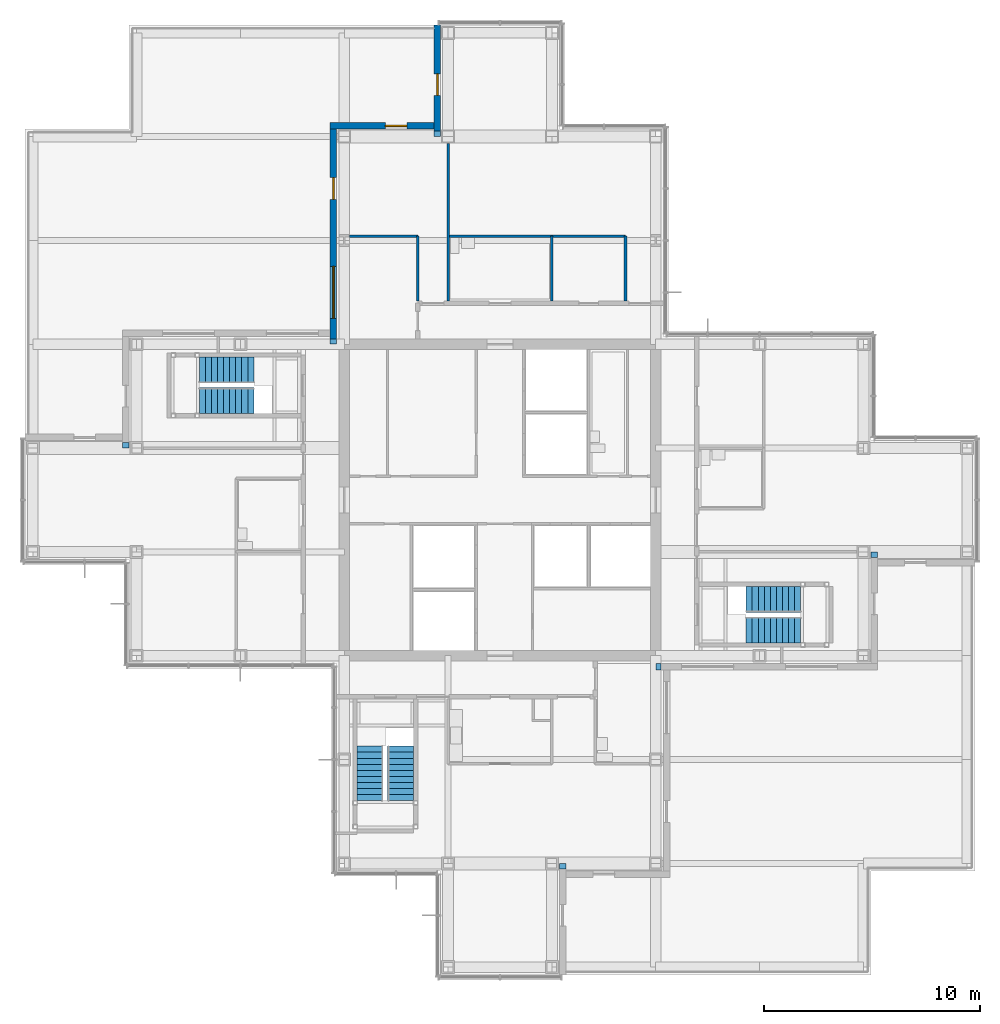
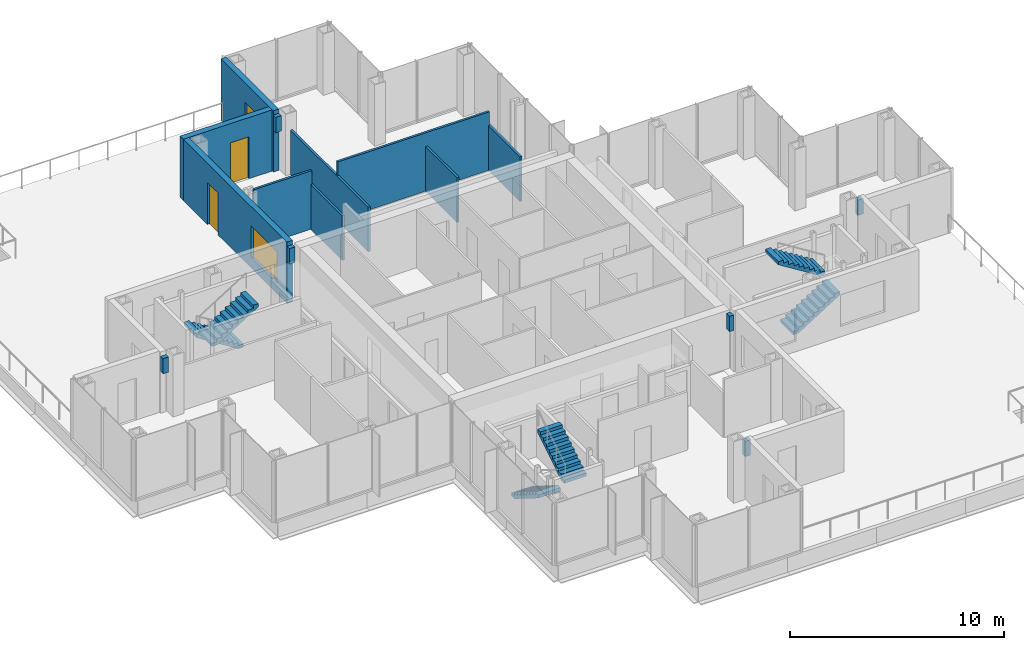
# One storey, part 14 of 17: 15 walls, 6 stair flights, 3 doors, 1 window, 4 openings, 3 elements without a shape of their own.
"""IFC4 building model written with IfcOpenShell, lengths in metres."""

from ifc_helpers import new_model, si_unit, direction, frame, frame_2d, origin, place, context, subcontext, project, spatial, polyline, rectangle, outline, extrude, material, layer, layer_set, type_object, element, fill, aggregate, save


model = new_model("IFC4")

# Units and contexts
model_context = context("Model", 3, precision=1e-05, world=origin(), true_north=direction((0.0, 1.0)))
body_context = subcontext(model_context, "Body", "Model", "MODEL_VIEW")
ifc_project = project(units=[si_unit("LENGTHUNIT", "METRE"), si_unit("AREAUNIT", "SQUARE_METRE"), si_unit("VOLUMEUNIT", "CUBIC_METRE"), si_unit("PLANEANGLEUNIT", "RADIAN"), si_unit("MASSUNIT", "GRAM", prefix="KILO")], contexts=[model_context])

# Site, building, storey
site_placement = place(None, origin())
site = spatial("IfcSite", under=ifc_project, at=site_placement, CompositionType="ELEMENT")
building_placement = place(site_placement, origin())
building = spatial("IfcBuilding", under=site, at=building_placement, Name="Kvirike Care Tower", CompositionType="ELEMENT")
storey_placement = place(building_placement, frame((0.0, 0.0, 141.0)))
storey = spatial("IfcBuildingStorey", under=building, at=storey_placement, Name="L38", CompositionType="ELEMENT", Elevation=141.0)

# Walls
ifc_material_1 = material(Name="Plasterboard partition", Category="gypsum")
ifc_layer_1 = layer(ifc_material_1, 0.1201171875)
ifc_layer_set_1 = layer_set([ifc_layer_1], Name="PARTITION 120")
wall_type_1 = type_object("IfcWallType", Name="PARTITION 120", PredefinedType="PARTITIONING", material=ifc_layer_set_1)
wall_1_placement = place(storey_placement, frame((27.39990234375, 48.199951171875, 0.0), z_axis=(0.0, 0.0, 1.0), x_axis=(0.0, -1.0, 0.0)))
element("IfcWall", 1, at=wall_1_placement, inside=storey, type_object=wall_type_1, Name="Partition 120 L38", PredefinedType="PARTITIONING", context=body_context, shape_type="SweptSolid", body=[
    extrude(rectangle(XDim=3.0, YDim=0.1201171875, at=frame_2d((1.5, 0.0))), origin(), (0.0, 0.0, 1.0), 2.550048828125),
])
wall_2_placement = place(storey_placement, frame((27.39990234375, 48.199951171875, 0.0), z_axis=(0.0, 0.0, 1.0), x_axis=(-1.0, 0.0, 0.0)))
element("IfcWall", 2, at=wall_2_placement, inside=storey, type_object=wall_type_1, Name="Partition 120 L38", PredefinedType="PARTITIONING", context=body_context, shape_type="SweptSolid", body=[
    extrude(rectangle(XDim=8.199951171875, YDim=0.1201171875, at=frame_2d((4.10009765625, 0.0))), origin(), (0.0, 0.0, 1.0), 3.330078125),
])
for number, where, z_axis, x_axis, name in (
    (3, (24.0, 48.199951171875, 0.0), (0.0, 0.0, 1.0), (0.0, -1.0, 0.0), "Partition 120 L38"),
    (4, (17.800048828125, 48.199951171875, 0.0), (0.0, 0.0, 1.0), (0.0, -1.0, 0.0), "Partition 120 L38"),
):
    element("IfcWall", number, at=place(storey_placement, frame(where, z_axis=z_axis, x_axis=x_axis)), inside=storey, type_object=wall_type_1, Name=name, PredefinedType="PARTITIONING", context=body_context, shape_type="SweptSolid", body=[
        extrude(rectangle(XDim=3.0, YDim=0.1201171875, at=frame_2d((1.5, 0.0))), origin(), (0.0, 0.0, 1.0), 2.550048828125),
    ])
wall_3_placement = place(storey_placement, frame((17.800048828125, 48.199951171875, 0.0), z_axis=(0.0, 0.0, 1.0), x_axis=(-1.0, 0.0, 0.0)))
element("IfcWall", 5, at=wall_3_placement, inside=storey, type_object=wall_type_1, Name="Partition 120 L38", PredefinedType="PARTITIONING", context=body_context, shape_type="SweptSolid", body=[
    extrude(rectangle(XDim=3.153076171875, YDim=0.1201171875, at=frame_2d((1.57666015625, 0.0))), origin(), (0.0, 0.0, 1.0), 3.330078125),
])
wall_4_placement = place(storey_placement, frame((19.199951171875, 52.47998046875, 0.0), z_axis=(0.0, 0.0, 1.0), x_axis=(0.0, -1.0, 0.0)))
element("IfcWall", 6, at=wall_4_placement, inside=storey, type_object=wall_type_1, Name="Partition 120 L38", PredefinedType="PARTITIONING", context=body_context, shape_type="SweptSolid", body=[
    extrude(rectangle(XDim=7.280029296875, YDim=0.1201171875, at=frame_2d((3.64013671875, 0.0))), origin(), (0.0, 0.0, 1.0), 2.550048828125),
])

# Wall, opening, door
ifc_material_2 = material(Name="Bronze-clad insulated blockwork wall", Category="masonry")
ifc_layer_2 = layer(ifc_material_2, 0.300048828125)
ifc_layer_set_2 = layer_set([ifc_layer_2], Name="TERRACE WALL 300")
wall_type_2 = type_object("IfcWallType", Name="TERRACE WALL 300", PredefinedType="SOLIDWALL", material=ifc_layer_set_2)
wall_5_placement = place(storey_placement, frame((18.699951171875, 57.949951171875, 0.0), z_axis=(0.0, 0.0, 1.0), x_axis=(0.0, -1.0, 0.0)))
wall_5 = element("IfcWall", 7, at=wall_5_placement, inside=storey, type_object=wall_type_2, Name="Terrace wall L38 face 12", PredefinedType="SOLIDWALL", context=body_context, shape_type="SweptSolid", body=[
    extrude(rectangle(XDim=4.89990234375, YDim=0.300048828125, at=frame_2d((2.449951171875, 0.0))), origin(), (0.0, 0.0, 1.0), 3.5),
])
opening_1_placement = place(wall_5_placement, frame((2.25, 0.0, 0.0)))
opening_1 = element("IfcOpeningElement", 8, at=opening_1_placement, cuts=wall_5, Name="Opening 38-803", PredefinedType="OPENING", context=body_context, shape_type="SweptSolid", body=[
    extrude(rectangle(XDim=1.0, YDim=2.39990234375, at=frame_2d((0.5, 1.199951171875))), frame((0.0, 0.16064453125, 0.0), z_axis=(0.0, -1.0, 0.0), x_axis=(1.0, 0.0, 0.0)), (0.0, 0.0, 1.0), 0.321044921875),
])
ifc_material_3 = material(Name="Aluminium door frame", Category="aluminium")
door_type = type_object("IfcDoorType", Name="TERRACE DOOR 1000", OperationType="SINGLE_SWING_LEFT", PredefinedType="DOOR", material=ifc_material_3)
door_1_placement = place(opening_1_placement, origin())
door_1 = element("IfcDoor", 9, at=door_1_placement, inside=storey, type_object=door_type, Name="Activity and craft room terrace door", OperationType="SINGLE_SWING_LEFT", OverallHeight=2.39990234375, OverallWidth=1.0, PredefinedType="DOOR", context=body_context, shape_type="SweptSolid", body=[
    extrude(rectangle(XDim=1.0, YDim=2.39990234375, at=frame_2d((0.5, 1.199951171875))), frame((0.0, 0.03515625, 0.0), z_axis=(0.0, -1.0, 0.0), x_axis=(1.0, 0.0, 0.0)), (0.0, 0.0, 1.0), 0.070068359375),
])
fill(opening_1, door_1)

wall_6_placement = place(storey_placement, frame((18.550048828125, 53.300048828125, 0.0), z_axis=(0.0, 0.0, 1.0), x_axis=(-1.0, 0.0, 0.0)))
wall_6 = element("IfcWall", 10, at=wall_6_placement, inside=storey, type_object=wall_type_2, Name="Terrace wall L38 face 13", PredefinedType="SOLIDWALL", context=body_context, shape_type="SweptSolid", body=[
    extrude(rectangle(XDim=4.800048828125, YDim=0.300048828125, at=frame_2d((2.39990234375, 0.0))), origin(), (0.0, 0.0, 1.0), 3.5),
])
opening_2_placement = place(wall_6_placement, frame((1.25, 0.0, 0.0)))
opening_2 = element("IfcOpeningElement", 11, at=opening_2_placement, cuts=wall_6, Name="Opening 38-804", PredefinedType="OPENING", context=body_context, shape_type="SweptSolid", body=[
    extrude(rectangle(XDim=1.0, YDim=2.39990234375, at=frame_2d((0.5, 1.199951171875))), frame((0.0, 0.16064453125, 0.0), z_axis=(0.0, -1.0, 0.0), x_axis=(1.0, 0.0, 0.0)), (0.0, 0.0, 1.0), 0.321044921875),
])
door_2_placement = place(opening_2_placement, origin())
door_2 = element("IfcDoor", 12, at=door_2_placement, inside=storey, type_object=door_type, Name="Family visiting room terrace door", OperationType="SINGLE_SWING_LEFT", OverallHeight=2.39990234375, OverallWidth=1.0, PredefinedType="DOOR", context=body_context, shape_type="SweptSolid", body=[
    extrude(rectangle(XDim=1.0, YDim=2.39990234375, at=frame_2d((0.5, 1.199951171875))), frame((0.0, 0.03515625, 0.0), z_axis=(0.0, -1.0, 0.0), x_axis=(1.0, 0.0, 0.0)), (0.0, 0.0, 1.0), 0.070068359375),
])
fill(opening_2, door_2)

# Wall, openings, door, window
wall_7_placement = place(storey_placement, frame((13.89990234375, 53.14990234375, 0.0), z_axis=(0.0, 0.0, 1.0), x_axis=(0.0, -1.0, 0.0)))
wall_7 = element("IfcWall", 13, at=wall_7_placement, inside=storey, type_object=wall_type_2, Name="Terrace wall L38 face 14", PredefinedType="SOLIDWALL", context=body_context, shape_type="SweptSolid", body=[
    extrude(rectangle(XDim=9.699951171875, YDim=0.300048828125, at=frame_2d((4.85009765625, 0.0))), origin(), (0.0, 0.0, 1.0), 3.5),
])
opening_3_placement = place(wall_7_placement, frame((2.25, 0.0, 0.0)))
opening_3 = element("IfcOpeningElement", 14, at=opening_3_placement, cuts=wall_7, Name="Opening 38-805", PredefinedType="OPENING", context=body_context, shape_type="SweptSolid", body=[
    extrude(rectangle(XDim=1.0, YDim=2.39990234375, at=frame_2d((0.5, 1.199951171875))), frame((0.0, 0.16064453125, 0.0), z_axis=(0.0, -1.0, 0.0), x_axis=(1.0, 0.0, 0.0)), (0.0, 0.0, 1.0), 0.321044921875),
])
opening_4_placement = place(wall_7_placement, frame((6.35009765625, 0.0, 0.60009765625)))
opening_4 = element("IfcOpeningElement", 15, at=opening_4_placement, cuts=wall_7, Name="Opening W01", PredefinedType="OPENING", context=body_context, shape_type="SweptSolid", body=[
    extrude(rectangle(XDim=2.39990234375, YDim=1.800048828125, at=frame_2d((1.199951171875, 0.89990234375))), frame((0.0, 0.16064453125, 0.0), z_axis=(0.0, -1.0, 0.0), x_axis=(1.0, 0.0, 0.0)), (0.0, 0.0, 1.0), 0.321044921875),
])
door_3_placement = place(opening_3_placement, origin())
door_3 = element("IfcDoor", 16, at=door_3_placement, inside=storey, type_object=door_type, Name="Family visiting room terrace door", OperationType="SINGLE_SWING_LEFT", OverallHeight=2.39990234375, OverallWidth=1.0, PredefinedType="DOOR", context=body_context, shape_type="SweptSolid", body=[
    extrude(rectangle(XDim=1.0, YDim=2.39990234375, at=frame_2d((0.5, 1.199951171875))), frame((0.0, 0.03515625, 0.0), z_axis=(0.0, -1.0, 0.0), x_axis=(1.0, 0.0, 0.0)), (0.0, 0.0, 1.0), 0.070068359375),
])
fill(opening_3, door_3)
ifc_material_4 = material(Name="Bronze anodised aluminium window", Category="aluminium")
window_type = type_object("IfcWindowType", Name="TERRACE WINDOW 2400", PartitioningType="SINGLE_PANEL", PredefinedType="WINDOW", material=ifc_material_4)
window_placement = place(opening_4_placement, origin())
window = element("IfcWindow", 17, at=window_placement, inside=storey, type_object=window_type, Name="Terrace Window 2400 L38", OverallHeight=1.800048828125, OverallWidth=2.39990234375, PartitioningType="SINGLE_PANEL", PredefinedType="WINDOW", context=body_context, shape_type="SweptSolid", body=[
    extrude(rectangle(XDim=2.39990234375, YDim=1.800048828125, at=frame_2d((1.199951171875, 0.89990234375))), frame((0.0, 0.030029296875, 0.0), z_axis=(0.0, -1.0, 0.0), x_axis=(1.0, 0.0, 0.0)), (0.0, 0.0, 1.0), 0.06005859375),
])
fill(opening_4, window)

# Walls
wall_8_placement = place(storey_placement, frame((28.81494140625, 28.300048828125, 2.389892578125), z_axis=(0.0, 0.0, 1.0), x_axis=(1.0, 0.0, 0.0)))
element("IfcWall", 18, at=wall_8_placement, inside=storey, type_object=wall_type_2, Name="Terrace wall L38 face 1 return", PredefinedType="SOLIDWALL", context=body_context, shape_type="SweptSolid", body=[
    extrude(rectangle(XDim=0.235107421875, YDim=0.300048828125, at=frame_2d((0.11767578125, 0.0))), origin(), (0.0, 0.0, 1.0), 0.880126953125),
])
wall_9_placement = place(storey_placement, frame((38.89990234375, 33.35009765625, 2.389892578125), z_axis=(0.0, 0.0, 1.0), x_axis=(0.0, 1.0, 0.0)))
element("IfcWall", 19, at=wall_9_placement, inside=storey, type_object=wall_type_2, Name="Terrace wall L38 face 2 return", PredefinedType="SOLIDWALL", context=body_context, shape_type="SweptSolid", body=[
    extrude(rectangle(XDim=0.23486328125, YDim=0.300048828125, at=frame_2d((0.117431640625, 0.0))), origin(), (0.0, 0.0, 1.0), 0.880126953125),
])
wall_10_placement = place(storey_placement, frame((18.699951171875, 53.050048828125, 2.389892578125), z_axis=(0.0, 0.0, 1.0), x_axis=(0.0, -1.0, 0.0)))
element("IfcWall", 20, at=wall_10_placement, inside=storey, type_object=wall_type_2, Name="Terrace wall L38 face 12 return", PredefinedType="SOLIDWALL", context=body_context, shape_type="SweptSolid", body=[
    extrude(rectangle(XDim=0.235107421875, YDim=0.300048828125, at=frame_2d((0.11767578125, 0.0))), origin(), (0.0, 0.0, 1.0), 0.880126953125),
])
for number, where, z_axis, x_axis, name in (
    (21, (13.89990234375, 43.449951171875, 2.389892578125), (0.0, 0.0, 1.0), (0.0, -1.0, 0.0), "Terrace wall L38 face 14 return"),
    (22, (4.300048828125, 38.64990234375, 2.389892578125), (0.0, 0.0, 1.0), (0.0, -1.0, 0.0), "Terrace wall L38 face 16 return"),
):
    element("IfcWall", number, at=place(storey_placement, frame(where, z_axis=z_axis, x_axis=x_axis)), inside=storey, type_object=wall_type_2, Name=name, PredefinedType="SOLIDWALL", context=body_context, shape_type="SweptSolid", body=[
        extrude(rectangle(XDim=0.23486328125, YDim=0.300048828125, at=frame_2d((0.117431640625, 0.0))), origin(), (0.0, 0.0, 1.0), 0.880126953125),
    ])
wall_11_placement = place(storey_placement, frame((24.5, 18.949951171875, 2.389892578125), z_axis=(0.0, 0.0, 1.0), x_axis=(0.0, 1.0, 0.0)))
element("IfcWall", 23, at=wall_11_placement, inside=storey, type_object=wall_type_2, Name="Terrace wall L38 face 26 return", PredefinedType="SOLIDWALL", context=body_context, shape_type="SweptSolid", body=[
    extrude(rectangle(XDim=0.235107421875, YDim=0.300048828125, at=frame_2d((0.11767578125, 0.0))), origin(), (0.0, 0.0, 1.0), 0.880126953125),
])

# Stair, stair flights
ifc_material_5 = material(Name="Concrete C35/45", Category="concrete")
stair_type = type_object("IfcStairType", Name="STAIR 20 RISERS", PredefinedType="HALF_TURN_STAIR", material=ifc_material_5)
stair_1_placement = place(storey_placement, origin())
stair_1 = element("IfcStair", 24, at=stair_1_placement, inside=storey, type_object=stair_type, Name="Stair 1 L38", PredefinedType="HALF_TURN_STAIR")
ifc_material_6 = material(Name="Concrete C35/45", Category="concrete")
stair_flight_type = type_object("IfcStairFlightType", Name="FLIGHT 10 RISERS", PredefinedType="STRAIGHT", material=ifc_material_6)
stair_flight_1_placement = place(storey_placement, frame((10.219970703125, 42.0, 0.0), z_axis=(0.0, 0.0, 1.0), x_axis=(-1.0, 0.0, 0.0)))
stair_flight_1 = element("IfcStairFlight", 25, at=stair_flight_1_placement, type_object=stair_flight_type, Name="Stair S1 flight 1 L38-L39", NumberOfRisers=10, NumberOfTreads=9, PredefinedType="STRAIGHT", RiserHeight=0.175, TreadLength=0.28, context=body_context, shape_type="SweptSolid", body=[
    extrude(outline(polyline([(0.0, 0.0), (0.0, 0.175048828125), (0.280029296875, 0.175048828125), (0.280029296875, 0.35009765625), (0.56005859375, 0.35009765625), (0.56005859375, 0.52490234375), (0.840087890625, 0.52490234375), (0.840087890625, 0.699951171875), (1.1201171875, 0.699951171875), (1.1201171875, 0.875), (1.39990234375, 0.875), (1.39990234375, 1.050048828125), (1.679931640625, 1.050048828125), (1.679931640625, 1.22509765625), (1.9599609375, 1.22509765625), (1.9599609375, 1.39990234375), (2.239990234375, 1.39990234375), (2.239990234375, 1.574951171875), (2.52001953125, 1.574951171875), (2.52001953125, 1.75), (2.52001953125, 1.398193359375), (0.28271484375, 0.0), (0.0, 0.0)])), frame((0.0, 0.60009765625, 0.0), z_axis=(0.0, -1.0, 0.0), x_axis=(1.0, 0.0, 0.0)), (0.0, 0.0, 1.0), 1.199951171875),
])
stair_flight_2_placement = place(storey_placement, frame((7.699951171875, 40.60009765625, 1.75), z_axis=(0.0, 0.0, 1.0), x_axis=(1.0, 0.0, 0.0)))
stair_flight_2 = element("IfcStairFlight", 26, at=stair_flight_2_placement, type_object=stair_flight_type, Name="Stair S1 flight 2 L38-L39", NumberOfRisers=10, NumberOfTreads=9, PredefinedType="STRAIGHT", RiserHeight=0.175, TreadLength=0.28, context=body_context, shape_type="SweptSolid", body=[
    extrude(outline(polyline([(0.0, 0.0), (0.0, 0.175048828125), (0.280029296875, 0.175048828125), (0.280029296875, 0.35009765625), (0.56005859375, 0.35009765625), (0.56005859375, 0.52490234375), (0.840087890625, 0.52490234375), (0.840087890625, 0.699951171875), (1.1201171875, 0.699951171875), (1.1201171875, 0.875), (1.39990234375, 0.875), (1.39990234375, 1.050048828125), (1.679931640625, 1.050048828125), (1.679931640625, 1.22509765625), (1.9599609375, 1.22509765625), (1.9599609375, 1.39990234375), (2.239990234375, 1.39990234375), (2.239990234375, 1.574951171875), (2.52001953125, 1.574951171875), (2.52001953125, 1.75), (2.52001953125, 1.398193359375), (0.28271484375, 0.0), (0.0, 0.0)])), frame((0.0, 0.60009765625, 0.0), z_axis=(0.0, -1.0, 0.0), x_axis=(1.0, 0.0, 0.0)), (0.0, 0.0, 1.0), 1.199951171875),
])
aggregate(stair_1, [stair_flight_1, stair_flight_2])

stair_2_placement = place(storey_placement, origin())
stair_2 = element("IfcStair", 27, at=stair_2_placement, inside=storey, type_object=stair_type, Name="Stair 2 L38", PredefinedType="HALF_TURN_STAIR")
stair_flight_3_placement = place(storey_placement, frame((32.97998046875, 30.0, 0.0), z_axis=(0.0, 0.0, 1.0), x_axis=(1.0, 0.0, 0.0)))
stair_flight_3 = element("IfcStairFlight", 28, at=stair_flight_3_placement, type_object=stair_flight_type, Name="Stair S2 flight 1 L38-L39", NumberOfRisers=10, NumberOfTreads=9, PredefinedType="STRAIGHT", RiserHeight=0.175, TreadLength=0.28, context=body_context, shape_type="SweptSolid", body=[
    extrude(outline(polyline([(0.0, 0.0), (0.0, 0.175048828125), (0.280029296875, 0.175048828125), (0.280029296875, 0.35009765625), (0.56005859375, 0.35009765625), (0.56005859375, 0.52490234375), (0.840087890625, 0.52490234375), (0.840087890625, 0.699951171875), (1.1201171875, 0.699951171875), (1.1201171875, 0.875), (1.39990234375, 0.875), (1.39990234375, 1.050048828125), (1.679931640625, 1.050048828125), (1.679931640625, 1.22509765625), (1.9599609375, 1.22509765625), (1.9599609375, 1.39990234375), (2.239990234375, 1.39990234375), (2.239990234375, 1.574951171875), (2.52001953125, 1.574951171875), (2.52001953125, 1.75), (2.52001953125, 1.398193359375), (0.28271484375, 0.0), (0.0, 0.0)])), frame((0.0, 0.60009765625, 0.0), z_axis=(0.0, -1.0, 0.0), x_axis=(1.0, 0.0, 0.0)), (0.0, 0.0, 1.0), 1.199951171875),
])
stair_flight_4_placement = place(storey_placement, frame((35.5, 31.39990234375, 1.75), z_axis=(0.0, 0.0, 1.0), x_axis=(-1.0, 0.0, 0.0)))
stair_flight_4 = element("IfcStairFlight", 29, at=stair_flight_4_placement, type_object=stair_flight_type, Name="Stair S2 flight 2 L38-L39", NumberOfRisers=10, NumberOfTreads=9, PredefinedType="STRAIGHT", RiserHeight=0.175, TreadLength=0.28, context=body_context, shape_type="SweptSolid", body=[
    extrude(outline(polyline([(0.0, 0.0), (0.0, 0.175048828125), (0.280029296875, 0.175048828125), (0.280029296875, 0.35009765625), (0.56005859375, 0.35009765625), (0.56005859375, 0.52490234375), (0.840087890625, 0.52490234375), (0.840087890625, 0.699951171875), (1.1201171875, 0.699951171875), (1.1201171875, 0.875), (1.39990234375, 0.875), (1.39990234375, 1.050048828125), (1.679931640625, 1.050048828125), (1.679931640625, 1.22509765625), (1.9599609375, 1.22509765625), (1.9599609375, 1.39990234375), (2.239990234375, 1.39990234375), (2.239990234375, 1.574951171875), (2.52001953125, 1.574951171875), (2.52001953125, 1.75), (2.52001953125, 1.398193359375), (0.28271484375, 0.0), (0.0, 0.0)])), frame((0.0, 0.60009765625, 0.0), z_axis=(0.0, -1.0, 0.0), x_axis=(1.0, 0.0, 0.0)), (0.0, 0.0, 1.0), 1.199951171875),
])
aggregate(stair_2, [stair_flight_3, stair_flight_4])

stair_3_placement = place(storey_placement, origin())
stair_3 = element("IfcStair", 30, at=stair_3_placement, inside=storey, type_object=stair_type, Name="Stair 5 L38", PredefinedType="HALF_TURN_STAIR")
stair_flight_5_placement = place(storey_placement, frame((15.60009765625, 24.6201171875, 0.0), z_axis=(0.0, 0.0, 1.0), x_axis=(0.0, -1.0, 0.0)))
stair_flight_5 = element("IfcStairFlight", 31, at=stair_flight_5_placement, type_object=stair_flight_type, Name="Stair S5 flight 1 L38-L39", NumberOfRisers=10, NumberOfTreads=9, PredefinedType="STRAIGHT", RiserHeight=0.175, TreadLength=0.28, context=body_context, shape_type="SweptSolid", body=[
    extrude(outline(polyline([(0.0, 0.0), (0.0, 0.175048828125), (0.280029296875, 0.175048828125), (0.280029296875, 0.35009765625), (0.56005859375, 0.35009765625), (0.56005859375, 0.52490234375), (0.840087890625, 0.52490234375), (0.840087890625, 0.699951171875), (1.1201171875, 0.699951171875), (1.1201171875, 0.875), (1.39990234375, 0.875), (1.39990234375, 1.050048828125), (1.679931640625, 1.050048828125), (1.679931640625, 1.22509765625), (1.9599609375, 1.22509765625), (1.9599609375, 1.39990234375), (2.239990234375, 1.39990234375), (2.239990234375, 1.574951171875), (2.52001953125, 1.574951171875), (2.52001953125, 1.75), (2.52001953125, 1.398193359375), (0.28271484375, 0.0), (0.0, 0.0)])), frame((0.0, 0.60009765625, 0.0), z_axis=(0.0, -1.0, 0.0), x_axis=(1.0, 0.0, 0.0)), (0.0, 0.0, 1.0), 1.199951171875),
])
stair_flight_6_placement = place(storey_placement, frame((17.0, 22.10009765625, 1.75), z_axis=(0.0, 0.0, 1.0), x_axis=(0.0, 1.0, 0.0)))
stair_flight_6 = element("IfcStairFlight", 32, at=stair_flight_6_placement, type_object=stair_flight_type, Name="Stair S5 flight 2 L38-L39", NumberOfRisers=10, NumberOfTreads=9, PredefinedType="STRAIGHT", RiserHeight=0.175, TreadLength=0.28, context=body_context, shape_type="SweptSolid", body=[
    extrude(outline(polyline([(0.0, 0.0), (0.0, 0.175048828125), (0.280029296875, 0.175048828125), (0.280029296875, 0.35009765625), (0.56005859375, 0.35009765625), (0.56005859375, 0.52490234375), (0.840087890625, 0.52490234375), (0.840087890625, 0.699951171875), (1.1201171875, 0.699951171875), (1.1201171875, 0.875), (1.39990234375, 0.875), (1.39990234375, 1.050048828125), (1.679931640625, 1.050048828125), (1.679931640625, 1.22509765625), (1.9599609375, 1.22509765625), (1.9599609375, 1.39990234375), (2.239990234375, 1.39990234375), (2.239990234375, 1.574951171875), (2.52001953125, 1.574951171875), (2.52001953125, 1.75), (2.52001953125, 1.398193359375), (0.28271484375, 0.0), (0.0, 0.0)])), frame((0.0, 0.60009765625, 0.0), z_axis=(0.0, -1.0, 0.0), x_axis=(1.0, 0.0, 0.0)), (0.0, 0.0, 1.0), 1.199951171875),
])
aggregate(stair_3, [stair_flight_5, stair_flight_6])

save(model, "model.ifc")
